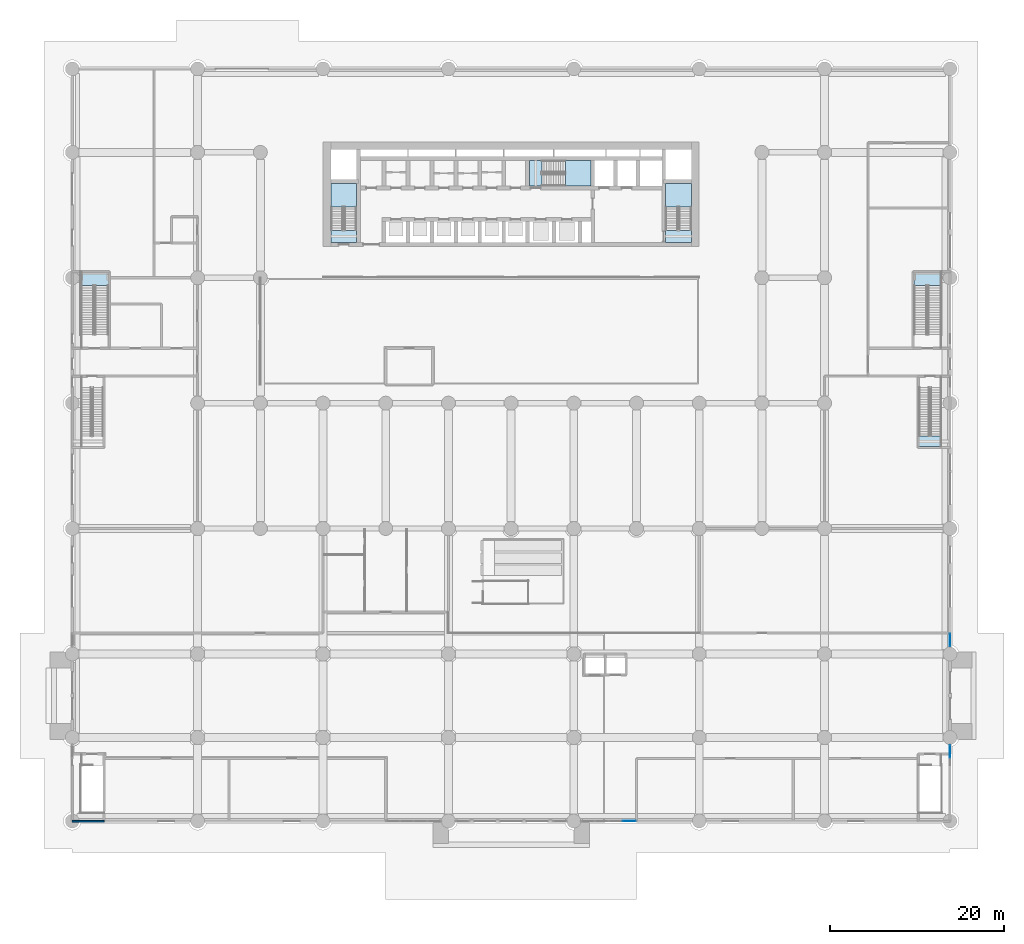
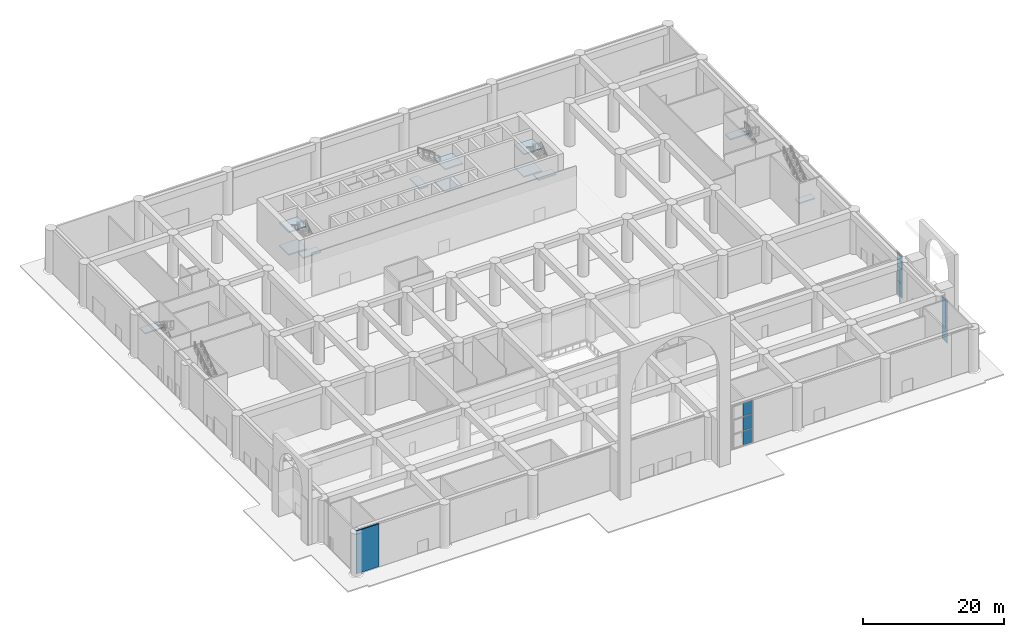
# One storey, part 12 of 32: 12 slabs, 9 plates, 1 wall, 9 elements without a shape of their own.
"""IFC4 building model written with IfcOpenShell, lengths in metres."""

import ifcopenshell
import ifcopenshell.guid

model = None  # the IFC model being written
_history = None  # IfcOwnerHistory: only IFC2X3 demands one
_inside = {}  # id of a spatial element -> (the spatial element, [elements in it])
_under = {}  # id of a project, library or spatial element -> (it, [spatial elements below it])
_declared = {}  # id of a project -> (the project, [libraries it declares])
_typed = {}  # id of a type object -> (the type object, [elements of that type])
_made_of = {}  # id of a material, layer set ... -> (it, [elements and type objects made of it])


def new_model(schema):
    """Start an empty IFC model of exactly this schema.

    Asked for "IFC4X3", IfcOpenShell would pick the latest addendum, in which some entities
    have other attributes; the version numbers below select the first issue.
    IFC2X3 requires an IfcOwnerHistory on every rooted entity: one is made here for all.
    """
    global model, _history
    if schema == "IFC4X3":
        model = ifcopenshell.file(schema_version=(4, 3, 0, 0))
    else:
        model = ifcopenshell.file(schema=schema)
    _inside.clear()
    _under.clear()
    _declared.clear()
    _typed.clear()
    _made_of.clear()
    _history = None
    if model.schema == "IFC2X3":
        org = make("IfcOrganization", Name="unknown")
        user = make(
            "IfcPersonAndOrganization",
            ThePerson=make("IfcPerson", FamilyName="unknown"),
            TheOrganization=org,
        )
        app = make(
            "IfcApplication",
            ApplicationDeveloper=org,
            Version="unknown",
            ApplicationFullName="unknown",
            ApplicationIdentifier="unknown",
        )
        _history = make(
            "IfcOwnerHistory",
            OwningUser=user,
            OwningApplication=app,
            ChangeAction="ADDED",
            CreationDate=0,
        )
    return model


def make(cls, **values):
    """One entity of the class cls with the attributes given. An attribute that is None is left unset."""
    return model.create_entity(
        cls, **{name: value for name, value in values.items() if value is not None}
    )


def rooted(cls, **values):
    """An entity with a GlobalId (a new one), such as an element, a storey or a relation."""
    return make(cls, GlobalId=ifcopenshell.guid.new(), OwnerHistory=_history, **values)


def si_unit(unit_type, name, prefix=None):
    """IfcSIUnit, for example si_unit("LENGTHUNIT", "METRE", prefix="MILLI")."""
    return make("IfcSIUnit", UnitType=unit_type, Prefix=prefix, Name=name)


def assignment(units):
    """IfcUnitAssignment: the units of a project."""
    return None if units is None else make("IfcUnitAssignment", Units=units)


def point(xyz):
    """IfcCartesianPoint."""
    return None if xyz is None else make("IfcCartesianPoint", Coordinates=xyz)


def direction(xyz):
    """IfcDirection."""
    return None if xyz is None else make("IfcDirection", DirectionRatios=xyz)


def frame(location, z_axis=None, x_axis=None):
    """IfcAxis2Placement3D, a coordinate frame: its origin and axes. An axis left out is left unset."""
    return make(
        "IfcAxis2Placement3D",
        Location=point(location),
        Axis=direction(z_axis),
        RefDirection=direction(x_axis),
    )


def frame_2d(location, x_axis=None):
    """IfcAxis2Placement2D, a coordinate frame in the plane: its origin and x axis."""
    return make(
        "IfcAxis2Placement2D", Location=point(location), RefDirection=direction(x_axis)
    )


def origin():
    """The frame at (0, 0, 0) with its axes left unset."""
    return frame((0.0, 0.0, 0.0))


def origin_with_axes():
    """The frame at (0, 0, 0) with the z axis (0, 0, 1) and the x axis (1, 0, 0) written out."""
    return frame((0.0, 0.0, 0.0), z_axis=(0.0, 0.0, 1.0), x_axis=(1.0, 0.0, 0.0))


def origin_2d():
    """The frame at (0, 0) in the plane with its x axis left unset."""
    return frame_2d((0.0, 0.0))


def place(relative_to, where):
    """IfcLocalPlacement: puts the frame where relative to a parent placement (None: the world)."""
    return make(
        "IfcLocalPlacement", PlacementRelTo=relative_to, RelativePlacement=where
    )


def context(
    kind, dimensions, precision=None, world=None, true_north=None, identifier=None
):
    """IfcGeometricRepresentationContext, for example the 3D "Model" context."""
    return make(
        "IfcGeometricRepresentationContext",
        ContextIdentifier=identifier,
        ContextType=kind,
        CoordinateSpaceDimension=dimensions,
        Precision=precision,
        WorldCoordinateSystem=world,
        TrueNorth=true_north,
    )


def subcontext(parent, identifier, kind, view, scale=None):
    """IfcGeometricRepresentationSubContext, for example "Body" below "Model"."""
    return make(
        "IfcGeometricRepresentationSubContext",
        ContextIdentifier=identifier,
        ContextType=kind,
        ParentContext=parent,
        TargetScale=scale,
        TargetView=view,
    )


def project(units=None, contexts=None):
    """IfcProject with its units and contexts."""
    return rooted(
        "IfcProject",
        Name="project",
        RepresentationContexts=contexts,
        UnitsInContext=assignment(units),
    )


def spatial(cls, under=None, at=None, **own):
    """A site, building, storey or space (cls), placed at a placement, below another one or the project."""
    s = rooted(cls, ObjectPlacement=at, **own)
    if under is not None:
        _under.setdefault(under.id(), (under, []))[1].append(s)
    return s


def polyline(points):
    """IfcPolyline through the points."""
    return make("IfcPolyline", Points=[point(p) for p in points])


def profile(cls, at=None, kind="AREA", **sizes):
    """A parametric profile (cls). Its sizes go by their IFC names, for example OverallWidth=200.0."""
    return make(cls, ProfileType=kind, Position=at, **sizes)


def rectangle(**sizes):
    """IfcRectangleProfileDef."""
    return profile("IfcRectangleProfileDef", **sizes)


def outline(outer, holes=None, kind="AREA"):
    """IfcArbitraryClosedProfileDef: a profile drawn as a closed curve; with holes, ...WithVoids."""
    if holes is None:
        return make("IfcArbitraryClosedProfileDef", ProfileType=kind, OuterCurve=outer)
    return make(
        "IfcArbitraryProfileDefWithVoids",
        ProfileType=kind,
        OuterCurve=outer,
        InnerCurves=holes,
    )


def extrude(swept, where, along, depth):
    """IfcExtrudedAreaSolid: the profile swept, set in the frame where, extruded along a direction by depth."""
    return make(
        "IfcExtrudedAreaSolid",
        SweptArea=swept,
        Position=where,
        ExtrudedDirection=direction(along),
        Depth=depth,
    )


def shape(context_of_items, identifier, shape_type, items):
    """IfcShapeRepresentation: the items that make up one representation, for example the "Body"."""
    return make(
        "IfcShapeRepresentation",
        ContextOfItems=context_of_items,
        RepresentationIdentifier=identifier,
        RepresentationType=shape_type,
        Items=items,
    )


def source(mapping_origin, context_of_items, identifier, shape_type, items):
    """IfcRepresentationMap: a shape defined once, which mapped items show again and again."""
    return make(
        "IfcRepresentationMap",
        MappingOrigin=mapping_origin,
        MappedRepresentation=shape(context_of_items, identifier, shape_type, items),
    )


def transform(
    local_origin,
    x_axis=None,
    y_axis=None,
    z_axis=None,
    scale=None,
    scale2=None,
    scale3=None,
    uniform=True,
):
    """IfcCartesianTransformationOperator3D, or its non-uniform kind. x_axis, y_axis, z_axis: its Axis1, 2, 3."""
    if uniform:
        return make(
            "IfcCartesianTransformationOperator3D",
            Axis1=direction(x_axis),
            Axis2=direction(y_axis),
            LocalOrigin=point(local_origin),
            Scale=scale,
            Axis3=direction(z_axis),
        )
    return make(
        "IfcCartesianTransformationOperator3DnonUniform",
        Axis1=direction(x_axis),
        Axis2=direction(y_axis),
        LocalOrigin=point(local_origin),
        Scale=scale,
        Axis3=direction(z_axis),
        Scale2=scale2,
        Scale3=scale3,
    )


def mapped(mapping_source, mapping_target):
    """IfcMappedItem: shows the shape of a source again, moved by a transform."""
    return make(
        "IfcMappedItem", MappingSource=mapping_source, MappingTarget=mapping_target
    )


def material(Name=None, Category=None):
    """IfcMaterial."""
    return make("IfcMaterial", Name=Name, Category=Category)


def layer(
    of_material, thickness, ventilated=None, Name=None, Category=None, Priority=None
):
    """IfcMaterialLayer: one layer of a wall or slab, of a material (None: an air gap)."""
    return make(
        "IfcMaterialLayer",
        Material=of_material,
        LayerThickness=thickness,
        IsVentilated=ventilated,
        Name=Name,
        Category=Category,
        Priority=Priority,
    )


def layer_set(layers, Name=None):
    """IfcMaterialLayerSet."""
    return make("IfcMaterialLayerSet", MaterialLayers=layers, LayerSetName=Name)


def made_of(thing, what):
    """Note that an element or type object is made of a material, layer set ...; save() writes the relation."""
    if what is not None:
        _made_of.setdefault(what.id(), (what, []))[1].append(thing)
    return thing


def type_object(cls, material=None, **own):
    """A type object (cls), such as IfcWallType, which elements share."""
    return made_of(rooted(cls, **own), material)


def element(
    cls,
    number,
    at=None,
    inside=None,
    cuts=None,
    type_object=None,
    material=None,
    context=None,
    identifier="Body",
    shape_type=None,
    held_by="IfcProductDefinitionShape",
    body=None,
    shapes=None,
    **own,
):
    """One element of the class cls, such as IfcWall. Its Tag is "e" and its number.

    at: its placement. inside: the storey or other place that contains it. cuts: it is an
    opening in that element (IfcRelVoidsElement). A single representation is given by context,
    identifier, shape_type and body (its items); several are given by shapes. held_by: the class
    of the entity that holds the representations. save() writes the other relations.
    """
    e = rooted(cls, Tag="e%d" % number, ObjectPlacement=at, **own)
    if body is not None:
        shapes = [shape(context, identifier, shape_type, body)]
    if shapes is not None:
        e.Representation = make(held_by, Representations=shapes)
    if inside is not None:
        _inside.setdefault(inside.id(), (inside, []))[1].append(e)
    if cuts is not None:
        rooted(
            "IfcRelVoidsElement", RelatingBuildingElement=cuts, RelatedOpeningElement=e
        )
    if type_object is not None:
        _typed.setdefault(type_object.id(), (type_object, []))[1].append(e)
    return made_of(e, material)


def aggregate(whole, parts):
    """IfcRelAggregates: a whole, such as a stair, and the parts it consists of."""
    return rooted("IfcRelAggregates", RelatingObject=whole, RelatedObjects=parts)


def save(model, path):
    """Write the relations noted so far, then the file.

    IfcRelAggregates (storeys below a building ...), IfcRelContainedInSpatialStructure (elements
    in a storey), IfcRelDefinesByType, IfcRelAssociatesMaterial and IfcRelDeclares: one each for
    every whole, place, type object, material and project.
    """
    for whole, parts in _under.values():
        aggregate(whole, parts)
    for where, things in _inside.values():
        rooted(
            "IfcRelContainedInSpatialStructure",
            RelatedElements=things,
            RelatingStructure=where,
        )
    for kind, things in _typed.values():
        rooted("IfcRelDefinesByType", RelatedObjects=things, RelatingType=kind)
    for what, things in _made_of.values():
        rooted("IfcRelAssociatesMaterial", RelatedObjects=things, RelatingMaterial=what)
    for by, libraries in _declared.values():
        rooted("IfcRelDeclares", RelatingContext=by, RelatedDefinitions=libraries)
    model.write(path)


model = new_model("IFC4")

# Units and contexts
model_context = context("Model", 3, precision=1e-05, world=origin(), true_north=direction((0.0, 1.0)))
body_context = subcontext(model_context, "Body", "Model", "MODEL_VIEW")
ifc_project = project(units=[si_unit("LENGTHUNIT", "METRE"), si_unit("AREAUNIT", "SQUARE_METRE"), si_unit("VOLUMEUNIT", "CUBIC_METRE"), si_unit("PLANEANGLEUNIT", "RADIAN"), si_unit("MASSUNIT", "GRAM", prefix="KILO")], contexts=[model_context])

# Site, building, storey
site_placement = place(None, origin())
site = spatial("IfcSite", under=ifc_project, at=site_placement, CompositionType="ELEMENT")
building_placement = place(site_placement, origin())
building = spatial("IfcBuilding", under=site, at=building_placement, Name="Saffron Iwan Residences", CompositionType="ELEMENT")
storey_placement = place(building_placement, origin())
storey = spatial("IfcBuildingStorey", under=building, at=storey_placement, Name="L00", CompositionType="ELEMENT", Elevation=0.0)

# Stair, slab
ifc_material_1 = material(Name="Concrete C40/50", Category="concrete")
stair_type_1 = type_object("IfcStairType", Name="Podium stair, reinforced concrete", PredefinedType="HALF_TURN_STAIR", material=ifc_material_1)
stair_1_placement = place(storey_placement, origin())
stair_1 = element("IfcStair", 1, at=stair_1_placement, inside=storey, type_object=stair_type_1, Name="L00 Podium Stair 2", PredefinedType="HALF_TURN_STAIR")
ifc_layer_1 = layer(ifc_material_1, 0.199951171875)
ifc_layer_set_1 = layer_set([ifc_layer_1], Name="Concrete C40/50")
slab_type_1 = type_object("IfcSlabType", Name="Podium stair landing, reinforced concrete", PredefinedType="LANDING", material=ifc_layer_set_1)
slab_1_placement = place(storey_placement, frame((0.0, 0.0, 3.699951171875)))
slab_1 = element("IfcSlab", 2, at=slab_1_placement, type_object=slab_type_1, Name="PS2 landing 1", PredefinedType="LANDING", context=body_context, shape_type="SweptSolid", body=[
    extrude(outline(polyline([(97.25, 44.199951171875), (97.25, 43.0), (99.800048828125, 43.0), (99.800048828125, 44.199951171875), (97.25, 44.199951171875)])), origin(), (0.0, 0.0, 1.0), 0.199951171875),
])
aggregate(stair_1, [slab_1])

stair_2_placement = place(storey_placement, origin())
stair_2 = element("IfcStair", 3, at=stair_2_placement, inside=storey, type_object=stair_type_1, Name="L00 Podium Stair 3", PredefinedType="HALF_TURN_STAIR")
slab_2_placement = place(storey_placement, frame((0.0, 0.0, 3.699951171875)))
slab_2 = element("IfcSlab", 4, at=slab_2_placement, type_object=slab_type_1, Name="PS3 landing 1", PredefinedType="LANDING", context=body_context, shape_type="SweptSolid", body=[
    extrude(outline(polyline([(4.14990234375, 61.5), (4.14990234375, 63.0), (1.0, 63.0), (1.0, 61.5), (4.14990234375, 61.5)])), origin(), (0.0, 0.0, 1.0), 0.199951171875),
])
aggregate(stair_2, [slab_2])

stair_3_placement = place(storey_placement, origin())
stair_3 = element("IfcStair", 5, at=stair_3_placement, inside=storey, type_object=stair_type_1, Name="L00 Podium Stair 4", PredefinedType="HALF_TURN_STAIR")
slab_3_placement = place(storey_placement, frame((0.0, 0.0, 3.699951171875)))
slab_3 = element("IfcSlab", 6, at=slab_3_placement, type_object=slab_type_1, Name="PS4 landing 1", PredefinedType="LANDING", context=body_context, shape_type="SweptSolid", body=[
    extrude(outline(polyline([(99.800048828125, 61.5), (99.800048828125, 63.0), (96.64990234375, 63.0), (96.64990234375, 61.5), (99.800048828125, 61.5)])), origin(), (0.0, 0.0, 1.0), 0.199951171875),
])
aggregate(stair_3, [slab_3])

# Stair, slabs
ifc_material_2 = material(Name="Concrete C50/60", Category="concrete")
stair_type_2 = type_object("IfcStairType", Name="Stair ST-CORE", PredefinedType="HALF_TURN_STAIR", material=ifc_material_2)
stair_4_placement = place(storey_placement, origin())
stair_4 = element("IfcStair", 7, at=stair_4_placement, inside=storey, type_object=stair_type_2, Name="L00 Exit Stair ST-W", PredefinedType="HALF_TURN_STAIR")
ifc_layer_2 = layer(ifc_material_2, 0.199951171875)
ifc_layer_set_2 = layer_set([ifc_layer_2], Name="Concrete C50/60")
slab_type_2 = type_object("IfcSlabType", Name="Stair landing SL-RC", PredefinedType="LANDING", material=ifc_layer_set_2)
slab_4_placement = place(storey_placement, frame((0.0, 0.0, 1.75)))
slab_4 = element("IfcSlab", 8, at=slab_4_placement, type_object=slab_type_2, Name="ST-W landing 1", PredefinedType="LANDING", context=body_context, shape_type="SweptSolid", body=[
    extrude(outline(polyline([(32.64990234375, 70.550048828125), (32.64990234375, 73.25), (29.699951171875, 73.25), (29.699951171875, 70.550048828125), (32.64990234375, 70.550048828125)])), origin(), (0.0, 0.0, 1.0), 0.199951171875),
])
slab_5_placement = place(storey_placement, frame((0.0, 0.0, 3.699951171875)))
slab_5 = element("IfcSlab", 9, at=slab_5_placement, type_object=slab_type_2, Name="ST-W landing 2", PredefinedType="LANDING", context=body_context, shape_type="SweptSolid", body=[
    extrude(outline(polyline([(32.64990234375, 66.449951171875), (32.64990234375, 67.85009765625), (29.699951171875, 67.85009765625), (29.699951171875, 66.449951171875), (32.64990234375, 66.449951171875)])), origin(), (0.0, 0.0, 1.0), 0.199951171875),
])
slab_6_placement = place(storey_placement, frame((0.0, 0.0, 5.64990234375)))
slab_6 = element("IfcSlab", 10, at=slab_6_placement, type_object=slab_type_2, Name="ST-W landing 3", PredefinedType="LANDING", context=body_context, shape_type="SweptSolid", body=[
    extrude(outline(polyline([(32.64990234375, 70.550048828125), (32.64990234375, 73.25), (29.699951171875, 73.25), (29.699951171875, 70.550048828125), (32.64990234375, 70.550048828125)])), origin(), (0.0, 0.0, 1.0), 0.2001953125),
])
aggregate(stair_4, [slab_4, slab_5, slab_6])

stair_5_placement = place(storey_placement, origin())
stair_5 = element("IfcStair", 11, at=stair_5_placement, inside=storey, type_object=stair_type_2, Name="L00 Exit Stair ST-C", PredefinedType="HALF_TURN_STAIR")
slab_7_placement = place(storey_placement, frame((0.0, 0.0, 1.75)))
slab_7 = element("IfcSlab", 12, at=slab_7_placement, type_object=slab_type_2, Name="ST-C landing 1", PredefinedType="LANDING", context=body_context, shape_type="SweptSolid", body=[
    extrude(outline(polyline([(56.625, 72.925048828125), (59.550048828125, 72.925048828125), (59.550048828125, 75.875), (56.625, 75.875), (56.625, 72.925048828125)])), origin(), (0.0, 0.0, 1.0), 0.199951171875),
])
slab_8_placement = place(storey_placement, frame((0.0, 0.0, 3.699951171875)))
slab_8 = element("IfcSlab", 13, at=slab_8_placement, type_object=slab_type_2, Name="ST-C landing 2", PredefinedType="LANDING", context=body_context, shape_type="SweptSolid", body=[
    extrude(outline(polyline([(52.52490234375, 72.925048828125), (53.925048828125, 72.925048828125), (53.925048828125, 75.875), (52.52490234375, 75.875), (52.52490234375, 72.925048828125)])), origin(), (0.0, 0.0, 1.0), 0.199951171875),
])
slab_9_placement = place(storey_placement, frame((0.0, 0.0, 5.64990234375)))
slab_9 = element("IfcSlab", 14, at=slab_9_placement, type_object=slab_type_2, Name="ST-C landing 3", PredefinedType="LANDING", context=body_context, shape_type="SweptSolid", body=[
    extrude(outline(polyline([(56.625, 72.925048828125), (59.550048828125, 72.925048828125), (59.550048828125, 75.875), (56.625, 75.875), (56.625, 72.925048828125)])), origin(), (0.0, 0.0, 1.0), 0.2001953125),
])
aggregate(stair_5, [slab_7, slab_8, slab_9])

stair_6_placement = place(storey_placement, origin())
stair_6 = element("IfcStair", 15, at=stair_6_placement, inside=storey, type_object=stair_type_2, Name="L00 Exit Stair ST-E", PredefinedType="HALF_TURN_STAIR")
slab_10_placement = place(storey_placement, frame((0.0, 0.0, 1.75)))
slab_10 = element("IfcSlab", 16, at=slab_10_placement, type_object=slab_type_2, Name="ST-E landing 1", PredefinedType="LANDING", context=body_context, shape_type="SweptSolid", body=[
    extrude(outline(polyline([(71.10009765625, 70.550048828125), (71.10009765625, 73.25), (68.14990234375, 73.25), (68.14990234375, 70.550048828125), (71.10009765625, 70.550048828125)])), origin(), (0.0, 0.0, 1.0), 0.199951171875),
])
slab_11_placement = place(storey_placement, frame((0.0, 0.0, 3.699951171875)))
slab_11 = element("IfcSlab", 17, at=slab_11_placement, type_object=slab_type_2, Name="ST-E landing 2", PredefinedType="LANDING", context=body_context, shape_type="SweptSolid", body=[
    extrude(outline(polyline([(71.10009765625, 66.449951171875), (71.10009765625, 67.85009765625), (68.14990234375, 67.85009765625), (68.14990234375, 66.449951171875), (71.10009765625, 66.449951171875)])), origin(), (0.0, 0.0, 1.0), 0.199951171875),
])
slab_12_placement = place(storey_placement, frame((0.0, 0.0, 5.64990234375)))
slab_12 = element("IfcSlab", 18, at=slab_12_placement, type_object=slab_type_2, Name="ST-E landing 3", PredefinedType="LANDING", context=body_context, shape_type="SweptSolid", body=[
    extrude(outline(polyline([(71.10009765625, 70.550048828125), (71.10009765625, 73.25), (68.14990234375, 73.25), (68.14990234375, 70.550048828125), (71.10009765625, 70.550048828125)])), origin(), (0.0, 0.0, 1.0), 0.2001953125),
])
aggregate(stair_6, [slab_10, slab_11, slab_12])

# Curtain wall, plates
ifc_material_3 = material(Name="Clear glass, laminated double glazed", Category="glass")
ifc_layer_3 = layer(ifc_material_3, 0.199951171875)
ifc_layer_set_3 = layer_set([ifc_layer_3], Name="Clear glass, laminated double glazed")
curtain_wall_type = type_object("IfcCurtainWallType", Name="CW-A UNITISED FRONTAGE", PredefinedType="NOTDEFINED", material=ifc_layer_set_3)
curtain_wall_1_placement = place(storey_placement, origin())
curtain_wall_1 = element("IfcCurtainWall", 19, at=curtain_wall_1_placement, inside=storey, type_object=curtain_wall_type, Name="Frontage glazing 2.2", PredefinedType="NOTDEFINED")
ifc_layer_4 = layer(ifc_material_3, 0.031982421875)
ifc_layer_set_4 = layer_set([ifc_layer_4], Name="Clear glass, laminated double glazed")
plate_type = type_object("IfcPlateType", Name="CW-A PANEL 32", PredefinedType="CURTAIN_PANEL", material=ifc_layer_set_4)
shared_shape_1 = source(origin(), body_context, "Body", "SweptSolid", [
    extrude(rectangle(XDim=1.47998046875, YDim=0.031982421875, at=origin_2d()), origin(), (0.0, 0.0, 1.0), 2.3798828125),
])
plate_1_placement = place(storey_placement, frame((63.97998046875, 0.0, 0.080078125), z_axis=(0.0, 0.0, 1.0), x_axis=(1.0, 0.0, 0.0)))
plate_1 = element("IfcPlate", 20, at=plate_1_placement, type_object=plate_type, Name="CW-A panel 4.1", PredefinedType="CURTAIN_PANEL", context=body_context, shape_type="MappedRepresentation", body=[
    mapped(shared_shape_1, transform((0.0, 0.0, 0.0))),
])
shared_shape_2 = source(origin(), body_context, "Body", "SweptSolid", [
    extrude(rectangle(XDim=1.47998046875, YDim=0.031982421875, at=origin_2d()), origin(), (0.0, 0.0, 1.0), 2.419921875),
])
plate_2_placement = place(storey_placement, frame((63.97998046875, 0.0, 2.5400390625), z_axis=(0.0, 0.0, 1.0), x_axis=(1.0, 0.0, 0.0)))
plate_2 = element("IfcPlate", 21, at=plate_2_placement, type_object=plate_type, Name="CW-A panel 4.2", PredefinedType="CURTAIN_PANEL", context=body_context, shape_type="MappedRepresentation", body=[
    mapped(shared_shape_2, transform((0.0, 0.0, 0.0))),
])
shared_shape_3 = source(origin(), body_context, "Body", "SweptSolid", [
    extrude(rectangle(XDim=1.47998046875, YDim=0.031982421875, at=origin_2d()), origin(), (0.0, 0.0, 1.0), 2.280029296875),
])
plate_3_placement = place(storey_placement, frame((63.97998046875, 0.0, 5.0400390625), z_axis=(0.0, 0.0, 1.0), x_axis=(1.0, 0.0, 0.0)))
plate_3 = element("IfcPlate", 22, at=plate_3_placement, type_object=plate_type, Name="CW-A panel 4.3", PredefinedType="CURTAIN_PANEL", context=body_context, shape_type="MappedRepresentation", body=[
    mapped(shared_shape_3, transform((0.0, 0.0, 0.0))),
])
aggregate(curtain_wall_1, [plate_1, plate_2, plate_3])

# Curtain wall, plate
curtain_wall_2_placement = place(storey_placement, origin())
curtain_wall_2 = element("IfcCurtainWall", 23, at=curtain_wall_2_placement, inside=storey, type_object=curtain_wall_type, Name="Frontage glazing 4.1", PredefinedType="NOTDEFINED")
shared_shape_4 = source(origin(), body_context, "Body", "SweptSolid", [
    extrude(rectangle(XDim=1.43994140625, YDim=0.031982421875, at=origin_2d()), origin(), (0.0, 0.0, 1.0), 2.3798828125),
])
plate_4_placement = place(storey_placement, frame((100.800048828125, 8.0, 0.080078125), z_axis=(0.0, 0.0, 1.0), x_axis=(0.0, 1.0, 0.0)))
plate_4 = element("IfcPlate", 24, at=plate_4_placement, type_object=plate_type, Name="CW-A panel 1.1", PredefinedType="CURTAIN_PANEL", context=body_context, shape_type="MappedRepresentation", body=[
    mapped(shared_shape_4, transform((0.0, 0.0, 0.0))),
])

curtain_wall_3_placement = place(storey_placement, origin())
curtain_wall_3 = element("IfcCurtainWall", 25, at=curtain_wall_3_placement, inside=storey, type_object=curtain_wall_type, Name="Frontage glazing 6.2", PredefinedType="NOTDEFINED")
plate_5_placement = place(storey_placement, frame((100.800048828125, 20.800048828125, 0.080078125), z_axis=(0.0, 0.0, 1.0), x_axis=(0.0, 1.0, 0.0)))
plate_5 = element("IfcPlate", 26, at=plate_5_placement, type_object=plate_type, Name="CW-A panel 1.1", PredefinedType="CURTAIN_PANEL", context=body_context, shape_type="MappedRepresentation", body=[
    mapped(shared_shape_4, transform((0.0, 0.0, 0.0))),
])

# Plate
shared_shape_5 = source(origin(), body_context, "Body", "SweptSolid", [
    extrude(rectangle(XDim=1.43994140625, YDim=0.031982421875, at=origin_2d()), origin(), (0.0, 0.0, 1.0), 2.419921875),
])
plate_6_placement = place(storey_placement, frame((100.800048828125, 8.0, 2.5400390625), z_axis=(0.0, 0.0, 1.0), x_axis=(0.0, 1.0, 0.0)))
plate_6 = element("IfcPlate", 27, at=plate_6_placement, type_object=plate_type, Name="CW-A panel 1.2", PredefinedType="CURTAIN_PANEL", context=body_context, shape_type="MappedRepresentation", body=[
    mapped(shared_shape_5, transform((0.0, 0.0, 0.0))),
])

plate_7_placement = place(storey_placement, frame((100.800048828125, 20.800048828125, 2.5400390625), z_axis=(0.0, 0.0, 1.0), x_axis=(0.0, 1.0, 0.0)))
plate_7 = element("IfcPlate", 28, at=plate_7_placement, type_object=plate_type, Name="CW-A panel 1.2", PredefinedType="CURTAIN_PANEL", context=body_context, shape_type="MappedRepresentation", body=[
    mapped(shared_shape_5, transform((0.0, 0.0, 0.0))),
])

shared_shape_6 = source(origin(), body_context, "Body", "SweptSolid", [
    extrude(rectangle(XDim=1.43994140625, YDim=0.031982421875, at=origin_2d()), origin(), (0.0, 0.0, 1.0), 2.280029296875),
])
plate_8_placement = place(storey_placement, frame((100.800048828125, 8.0, 5.0400390625), z_axis=(0.0, 0.0, 1.0), x_axis=(0.0, 1.0, 0.0)))
plate_8 = element("IfcPlate", 29, at=plate_8_placement, type_object=plate_type, Name="CW-A panel 1.3", PredefinedType="CURTAIN_PANEL", context=body_context, shape_type="MappedRepresentation", body=[
    mapped(shared_shape_6, transform((0.0, 0.0, 0.0))),
])

aggregate(curtain_wall_2, [plate_4, plate_6, plate_8])

plate_9_placement = place(storey_placement, frame((100.800048828125, 20.800048828125, 5.0400390625), z_axis=(0.0, 0.0, 1.0), x_axis=(0.0, 1.0, 0.0)))
plate_9 = element("IfcPlate", 30, at=plate_9_placement, type_object=plate_type, Name="CW-A panel 1.3", PredefinedType="CURTAIN_PANEL", context=body_context, shape_type="MappedRepresentation", body=[
    mapped(shared_shape_6, transform((0.0, 0.0, 0.0))),
])

aggregate(curtain_wall_3, [plate_5, plate_7, plate_9])

# Wall
ifc_layer_5 = layer(ifc_material_1, 0.199951171875)
ifc_layer_set_5 = layer_set([ifc_layer_5], Name="Concrete C40/50")
wall_type = type_object("IfcWallType", Name="Reinforced concrete stair wall 200", PredefinedType="SOLIDWALL", material=ifc_layer_set_5)
wall_placement = place(storey_placement, origin_with_axes())
element("IfcWall", 31, at=wall_placement, inside=storey, type_object=wall_type, Name="W-L00-003", PredefinedType="SOLIDWALL", context=body_context, shape_type="SweptSolid", body=[
    extrude(rectangle(XDim=3.64990234375, YDim=0.199951171875, at=frame_2d((1.824951171875, 0.0))), origin(), (0.0, 0.0, 1.0), 7.39990234375),
])

save(model, "model.ifc")
